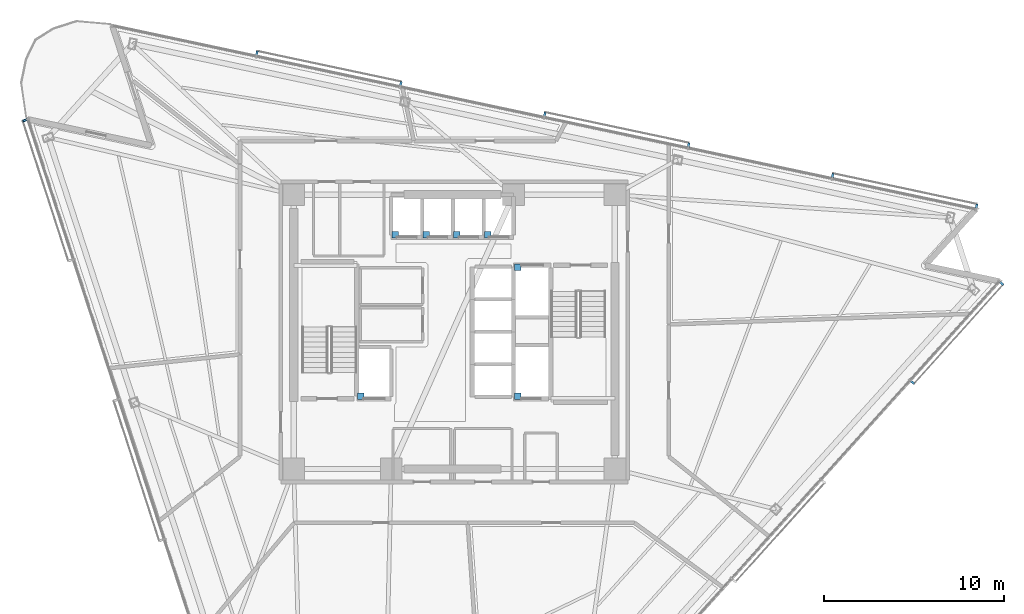
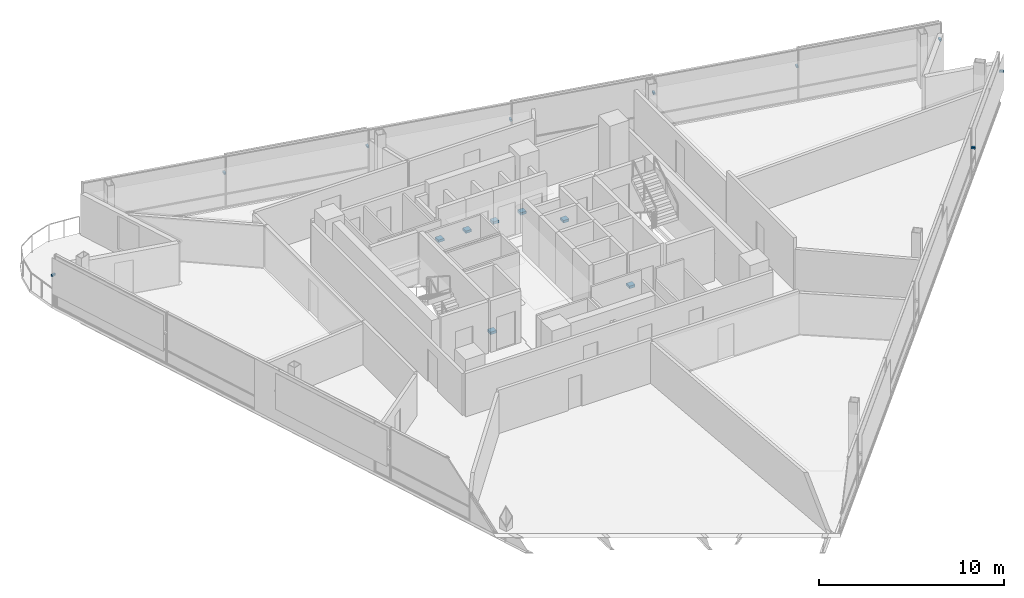
# One storey, part 14 of 17: 16 discrete accessories.
"""IFC4 building model written with IfcOpenShell, lengths in metres."""

from ifc_helpers import new_model, si_unit, direction, frame, origin, origin_2d, place, context, subcontext, project, spatial, rectangle, extrude, material, type_object, element, save


model = new_model("IFC4")

# Units and contexts
model_context = context("Model", 3, precision=1e-05, world=origin(), true_north=direction((0.0, 1.0)))
body_context = subcontext(model_context, "Body", "Model", "MODEL_VIEW")
ifc_project = project(units=[si_unit("LENGTHUNIT", "METRE"), si_unit("AREAUNIT", "SQUARE_METRE"), si_unit("VOLUMEUNIT", "CUBIC_METRE"), si_unit("PLANEANGLEUNIT", "RADIAN"), si_unit("MASSUNIT", "GRAM", prefix="KILO")], contexts=[model_context])

# Site, building, storey
site_placement = place(None, origin())
site = spatial("IfcSite", under=ifc_project, at=site_placement, CompositionType="ELEMENT")
building_placement = place(site_placement, origin())
building = spatial("IfcBuilding", under=site, at=building_placement, Name="Tharavind Bronze Gate", CompositionType="ELEMENT")
storey_placement = place(building_placement, frame((0.0, 0.0, 204.050048828125)))
storey = spatial("IfcBuildingStorey", under=building, at=storey_placement, Name="L52", CompositionType="ELEMENT", Elevation=204.050048828125)

# Discrete accessories
ifc_material_1 = material(Name="Galvanised Steel S355", Category="steel")
discrete_accessory_type_1 = type_object("IfcDiscreteAccessoryType", Name="LIFT GUIDE RAIL BRACKET", PredefinedType="BRACKET", material=ifc_material_1)
for number, where, z_axis, x_axis, name in (
    (1, (-3.280029296875, 5.3701171875, 1.1201171875), (0.0, 0.0, 1.0), (1.0, 0.0, 0.0), "Lift PL5 guide rail bracket at L52"),
    (2, (-1.5673828125, 5.3701171875, 1.1201171875), (0.0, 0.0, 1.0), (1.0, 0.0, 0.0), "Lift PL6 guide rail bracket at L52"),
    (3, (0.14501953125, 5.3701171875, 1.1201171875), (0.0, 0.0, 1.0), (1.0, 0.0, 0.0), "Lift PL7 guide rail bracket at L52"),
    (4, (1.857421875, 5.3701171875, 1.1201171875), (0.0, 0.0, 1.0), (1.0, 0.0, 0.0), "Lift PL8 guide rail bracket at L52"),
    (5, (-5.179931640625, -3.580078125, 1.1201171875), (0.0, 0.0, 1.0), (1.0, 0.0, 0.0), "Lift FFL1 guide rail bracket at L52"),
    (6, (3.5, 3.580078125, 1.1201171875), (0.0, 0.0, 1.0), (1.0, 0.0, 0.0), "Lift FFL2 guide rail bracket at L52"),
    (7, (3.5, -3.580078125, 1.1201171875), (0.0, 0.0, 1.0), (1.0, 0.0, 0.0), "Lift SVL1 guide rail bracket at L52"),
):
    element("IfcDiscreteAccessory", number, at=place(storey_placement, frame(where, z_axis=z_axis, x_axis=x_axis)), inside=storey, type_object=discrete_accessory_type_1, Name=name, PredefinedType="BRACKET", context=body_context, shape_type="SweptSolid", body=[
        extrude(rectangle(XDim=0.360107421875, YDim=0.360107421875, at=origin_2d()), origin(), (0.0, 0.0, 1.0), 0.159912109375),
    ])
ifc_material_2 = material(Name="Stainless Steel 316", Category="steel")
discrete_accessory_type_2 = type_object("IfcDiscreteAccessoryType", Name="SOLAR SCREEN STANDOFF BRACKET", PredefinedType="BRACKET", material=ifc_material_2)
for number, where, z_axis, x_axis, name in (
    (8, (-23.801513671875, 11.724853515625, 2.099853515625), (0.0, 0.0, 1.0), (0.309016994375, -0.951056516295, 0.0), "CW-L52-S1 solar screen bracket 1.1"),
    (9, (25.388671875, -2.80126953125, 2.099853515625), (0.0, 0.0, 1.0), (0.669130606359, 0.743144825477, 0.0), "CW-L52-S2 solar screen bracket 7.1"),
    (10, (30.333251953125, 2.690185546875, 2.099853515625), (0.0, 0.0, 1.0), (0.669130606359, 0.743144825477, 0.0), "CW-L52-S2 solar screen bracket 7.2"),
    (11, (28.942626953125, 6.9697265625, 2.099853515625), (0.0, 0.0, 1.0), (-0.978147600734, 0.207911690818, 0.0), "CW-L52-S3 solar screen bracket 1.1"),
    (12, (20.965087890625, 8.665283203125, 2.099853515625), (0.0, 0.0, 1.0), (-0.978147600734, 0.207911690818, 0.0), "CW-L52-S3 solar screen bracket 1.2"),
    (13, (12.98779296875, 10.361083984375, 2.099853515625), (0.0, 0.0, 1.0), (-0.978147600734, 0.207911690818, 0.0), "CW-L52-S3 solar screen bracket 3.1"),
    (14, (5.01025390625, 12.056640625, 2.099853515625), (0.0, 0.0, 1.0), (-0.978147600734, 0.207911690818, 0.0), "CW-L52-S3 solar screen bracket 3.2"),
    (15, (-2.96728515625, 13.752197265625, 2.099853515625), (0.0, 0.0, 1.0), (-0.978147600734, 0.207911690818, 0.0), "CW-L52-S3 solar screen bracket 5.1"),
    (16, (-10.94482421875, 15.447998046875, 2.099853515625), (0.0, 0.0, 1.0), (-0.978147600734, 0.207911690818, 0.0), "CW-L52-S3 solar screen bracket 5.2"),
):
    element("IfcDiscreteAccessory", number, at=place(storey_placement, frame(where, z_axis=z_axis, x_axis=x_axis)), inside=storey, type_object=discrete_accessory_type_2, Name=name, PredefinedType="BRACKET", context=body_context, shape_type="SweptSolid", body=[
        extrude(rectangle(XDim=0.1201171875, YDim=0.239990234375, at=origin_2d()), origin(), (0.0, 0.0, 1.0), 0.1201171875),
    ])

save(model, "model.ifc")
